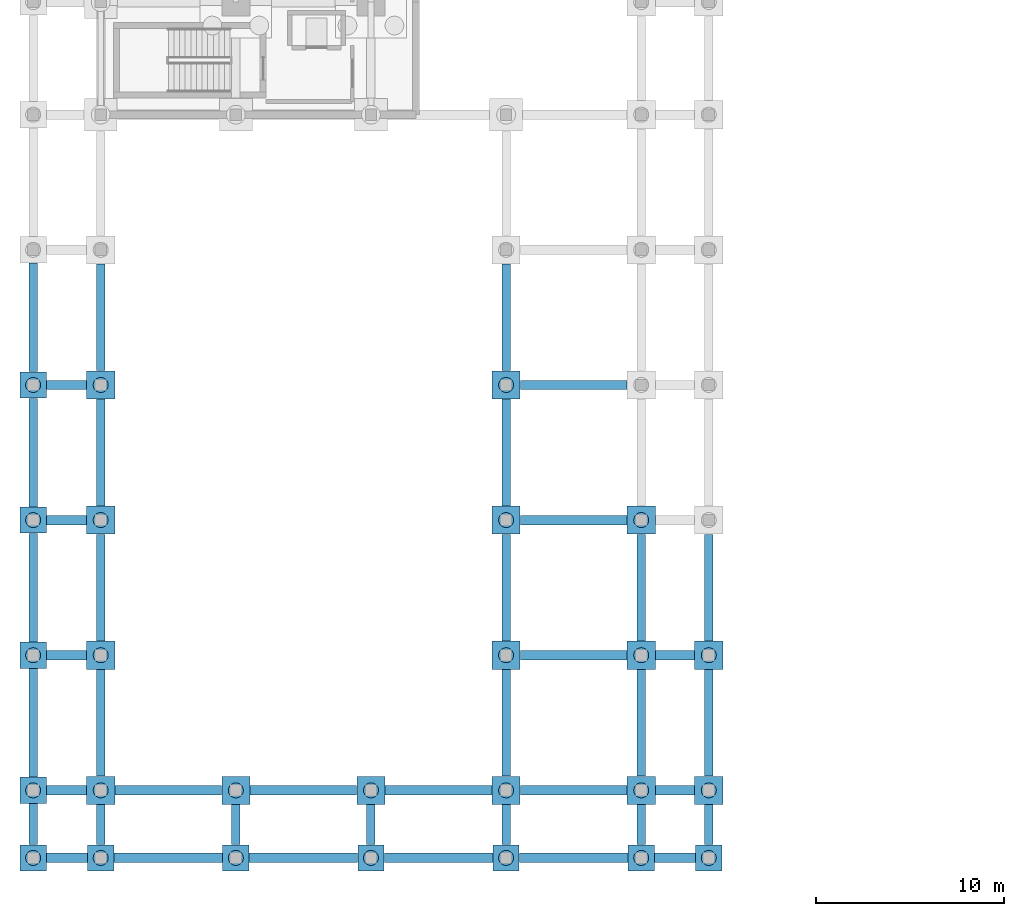
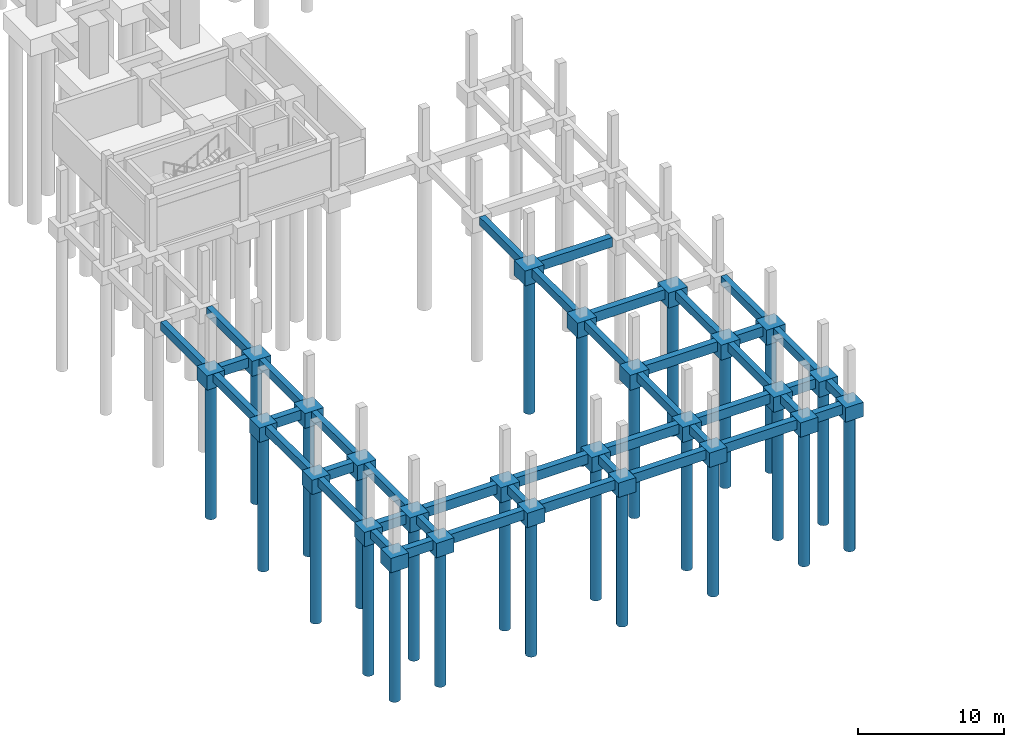
# One storey, part 1 of 20: 68 footings, 26 piles.
"""IFC4 building model written with IfcOpenShell, lengths in metres."""

from ifc_helpers import new_model, si_unit, direction, frame, origin, origin_2d, place, context, subcontext, project, spatial, polyline, rectangle, circle, outline, extrude, material, material_profile, profile_set, type_object, element, save


model = new_model("IFC4")

# Units and contexts
model_context = context("Model", 3, precision=1e-05, world=origin(), true_north=direction((0.0, 1.0)))
body_context = subcontext(model_context, "Body", "Model", "MODEL_VIEW")
ifc_project = project(units=[si_unit("LENGTHUNIT", "METRE"), si_unit("AREAUNIT", "SQUARE_METRE"), si_unit("VOLUMEUNIT", "CUBIC_METRE"), si_unit("PLANEANGLEUNIT", "RADIAN"), si_unit("MASSUNIT", "GRAM", prefix="KILO")], contexts=[model_context])

# Site, building, storey
site_placement = place(None, origin())
site = spatial("IfcSite", under=ifc_project, at=site_placement, CompositionType="ELEMENT")
building_placement = place(site_placement, origin())
building = spatial("IfcBuilding", under=site, at=building_placement, Name="Nzembalo Square Collegiate School", CompositionType="ELEMENT")
storey_placement = place(building_placement, frame((0.0, 0.0, -4.080078125)))
storey = spatial("IfcBuildingStorey", under=building, at=storey_placement, Name="B1", CompositionType="ELEMENT", Elevation=-4.080078125)

# Footings
ifc_material_1 = material(Name="Concrete C35/45", Category="concrete")
footing_type_1 = type_object("IfcFootingType", Name="PC06", PredefinedType="PILE_CAP", material=ifc_material_1)
for number, where, z_axis, x_axis, name in (
    (1, (8.39990234375, 8.39990234375, -1.5498046875), (0.0, 0.0, 1.0), (1.0, 0.0, 0.0), "Pile cap PC06 at 2/B"),
    (2, (8.39990234375, 15.60009765625, -1.5498046875), (0.0, 0.0, 1.0), (1.0, 0.0, 0.0), "Pile cap PC06 at 2/C"),
    (3, (8.39990234375, 22.800048828125, -1.5498046875), (0.0, 0.0, 1.0), (1.0, 0.0, 0.0), "Pile cap PC06 at 2/D"),
    (4, (8.39990234375, 30.0, -1.5498046875), (0.0, 0.0, 1.0), (1.0, 0.0, 0.0), "Pile cap PC06 at 2/E"),
    (5, (15.60009765625, 8.39990234375, -1.5498046875), (0.0, 0.0, 1.0), (1.0, 0.0, 0.0), "Pile cap PC06 at 3/B"),
    (6, (22.800048828125, 8.39990234375, -1.5498046875), (0.0, 0.0, 1.0), (1.0, 0.0, 0.0), "Pile cap PC06 at 4/B"),
    (7, (30.0, 8.39990234375, -1.5498046875), (0.0, 0.0, 1.0), (1.0, 0.0, 0.0), "Pile cap PC06 at 5/B"),
    (8, (30.0, 15.60009765625, -1.5498046875), (0.0, 0.0, 1.0), (1.0, 0.0, 0.0), "Pile cap PC06 at 5/C"),
    (9, (30.0, 22.800048828125, -1.5498046875), (0.0, 0.0, 1.0), (1.0, 0.0, 0.0), "Pile cap PC06 at 5/D"),
    (10, (30.0, 30.0, -1.5498046875), (0.0, 0.0, 1.0), (1.0, 0.0, 0.0), "Pile cap PC06 at 5/E"),
    (11, (37.199951171875, 8.39990234375, -1.5498046875), (0.0, 0.0, 1.0), (1.0, 0.0, 0.0), "Pile cap PC06 at 6/B"),
    (12, (37.199951171875, 15.60009765625, -1.5498046875), (0.0, 0.0, 1.0), (1.0, 0.0, 0.0), "Pile cap PC06 at 6/C"),
    (13, (37.199951171875, 22.800048828125, -1.5498046875), (0.0, 0.0, 1.0), (1.0, 0.0, 0.0), "Pile cap PC06 at 6/D"),
    (14, (40.800048828125, 8.39990234375, -1.5498046875), (0.0, 0.0, 1.0), (1.0, 0.0, 0.0), "Pile cap PC06 at 7/B"),
    (15, (40.800048828125, 15.60009765625, -1.5498046875), (0.0, 0.0, 1.0), (1.0, 0.0, 0.0), "Pile cap PC06 at 7/C"),
):
    element("IfcFooting", number, at=place(storey_placement, frame(where, z_axis=z_axis, x_axis=x_axis)), inside=storey, type_object=footing_type_1, Name=name, PredefinedType="PILE_CAP", context=body_context, shape_type="SweptSolid", body=[
        extrude(rectangle(XDim=1.5, YDim=1.5, at=origin_2d()), origin(), (0.0, 0.0, 1.0), 1.25),
    ])
ifc_material_2 = material(Name="Concrete C35/45", Category="concrete")
footing_type_2 = type_object("IfcFootingType", Name="PC07", PredefinedType="PILE_CAP", material=ifc_material_2)
for number, where, z_axis, x_axis, name in (
    (16, (4.800048828125, 4.800048828125, -1.5), (0.0, 0.0, 1.0), (1.0, 0.0, 0.0), "Pile cap PC07 at 1/A"),
    (17, (4.800048828125, 8.39990234375, -1.5), (0.0, 0.0, 1.0), (1.0, 0.0, 0.0), "Pile cap PC07 at 1/B"),
    (18, (4.800048828125, 15.60009765625, -1.5), (0.0, 0.0, 1.0), (1.0, 0.0, 0.0), "Pile cap PC07 at 1/C"),
    (19, (4.800048828125, 22.800048828125, -1.5), (0.0, 0.0, 1.0), (1.0, 0.0, 0.0), "Pile cap PC07 at 1/D"),
    (20, (4.800048828125, 30.0, -1.5), (0.0, 0.0, 1.0), (1.0, 0.0, 0.0), "Pile cap PC07 at 1/E"),
    (21, (8.39990234375, 4.800048828125, -1.5), (0.0, 0.0, 1.0), (1.0, 0.0, 0.0), "Pile cap PC07 at 2/A"),
    (22, (15.60009765625, 4.800048828125, -1.5), (0.0, 0.0, 1.0), (1.0, 0.0, 0.0), "Pile cap PC07 at 3/A"),
    (23, (22.800048828125, 4.800048828125, -1.5), (0.0, 0.0, 1.0), (1.0, 0.0, 0.0), "Pile cap PC07 at 4/A"),
    (24, (30.0, 4.800048828125, -1.5), (0.0, 0.0, 1.0), (1.0, 0.0, 0.0), "Pile cap PC07 at 5/A"),
    (25, (37.199951171875, 4.800048828125, -1.5), (0.0, 0.0, 1.0), (1.0, 0.0, 0.0), "Pile cap PC07 at 6/A"),
    (26, (40.800048828125, 4.800048828125, -1.5), (0.0, 0.0, 1.0), (1.0, 0.0, 0.0), "Pile cap PC07 at 7/A"),
):
    element("IfcFooting", number, at=place(storey_placement, frame(where, z_axis=z_axis, x_axis=x_axis)), inside=storey, type_object=footing_type_2, Name=name, PredefinedType="PILE_CAP", context=body_context, shape_type="SweptSolid", body=[
        extrude(rectangle(XDim=1.39990234375, YDim=1.39990234375, at=origin_2d()), origin(), (0.0, 0.0, 1.0), 1.199951171875),
    ])
ifc_material_3 = material(Name="Concrete C30/37", Category="concrete")
footing_type_3 = type_object("IfcFootingType", Name="FG01", PredefinedType="FOOTING_BEAM", material=ifc_material_3)
footing_1_placement = place(storey_placement, frame((0.0, 0.0, -1.099853515625)))
element("IfcFooting", 27, at=footing_1_placement, inside=storey, type_object=footing_type_3, Name="Ground beam FG01 1-2/A", PredefinedType="FOOTING_BEAM", context=body_context, shape_type="SweptSolid", body=[
    extrude(outline(polyline([(5.510009765625, 4.550048828125), (7.68994140625, 4.550048828125), (7.68994140625, 5.050048828125), (5.510009765625, 5.050048828125), (5.510009765625, 4.550048828125)])), origin(), (0.0, 0.0, 1.0), 0.800048828125),
])
footing_2_placement = place(storey_placement, frame((0.0, 0.0, -1.099853515625)))
element("IfcFooting", 28, at=footing_2_placement, inside=storey, type_object=footing_type_3, Name="Ground beam FG01 2-3/A", PredefinedType="FOOTING_BEAM", context=body_context, shape_type="SweptSolid", body=[
    extrude(outline(polyline([(9.110107421875, 4.550048828125), (14.889892578125, 4.550048828125), (14.889892578125, 5.050048828125), (9.110107421875, 5.050048828125), (9.110107421875, 4.550048828125)])), origin(), (0.0, 0.0, 1.0), 0.800048828125),
])
footing_3_placement = place(storey_placement, frame((0.0, 0.0, -1.099853515625)))
element("IfcFooting", 29, at=footing_3_placement, inside=storey, type_object=footing_type_3, Name="Ground beam FG01 3-4/A", PredefinedType="FOOTING_BEAM", context=body_context, shape_type="SweptSolid", body=[
    extrude(outline(polyline([(16.31005859375, 4.550048828125), (22.090087890625, 4.550048828125), (22.090087890625, 5.050048828125), (16.31005859375, 5.050048828125), (16.31005859375, 4.550048828125)])), origin(), (0.0, 0.0, 1.0), 0.800048828125),
])
footing_4_placement = place(storey_placement, frame((0.0, 0.0, -1.099853515625)))
element("IfcFooting", 30, at=footing_4_placement, inside=storey, type_object=footing_type_3, Name="Ground beam FG01 4-5/A", PredefinedType="FOOTING_BEAM", context=body_context, shape_type="SweptSolid", body=[
    extrude(outline(polyline([(23.510009765625, 4.550048828125), (29.2900390625, 4.550048828125), (29.2900390625, 5.050048828125), (23.510009765625, 5.050048828125), (23.510009765625, 4.550048828125)])), origin(), (0.0, 0.0, 1.0), 0.800048828125),
])
footing_5_placement = place(storey_placement, frame((0.0, 0.0, -1.099853515625)))
element("IfcFooting", 31, at=footing_5_placement, inside=storey, type_object=footing_type_3, Name="Ground beam FG01 5-6/A", PredefinedType="FOOTING_BEAM", context=body_context, shape_type="SweptSolid", body=[
    extrude(outline(polyline([(30.7099609375, 4.550048828125), (36.489990234375, 4.550048828125), (36.489990234375, 5.050048828125), (30.7099609375, 5.050048828125), (30.7099609375, 4.550048828125)])), origin(), (0.0, 0.0, 1.0), 0.800048828125),
])
footing_6_placement = place(storey_placement, frame((0.0, 0.0, -1.099853515625)))
element("IfcFooting", 32, at=footing_6_placement, inside=storey, type_object=footing_type_3, Name="Ground beam FG01 6-7/A", PredefinedType="FOOTING_BEAM", context=body_context, shape_type="SweptSolid", body=[
    extrude(outline(polyline([(37.909912109375, 4.550048828125), (40.090087890625, 4.550048828125), (40.090087890625, 5.050048828125), (37.909912109375, 5.050048828125), (37.909912109375, 4.550048828125)])), origin(), (0.0, 0.0, 1.0), 0.800048828125),
])
footing_7_placement = place(storey_placement, frame((0.0, 0.0, -1.099853515625)))
element("IfcFooting", 33, at=footing_7_placement, inside=storey, type_object=footing_type_3, Name="Ground beam FG01 1-2/B", PredefinedType="FOOTING_BEAM", context=body_context, shape_type="SweptSolid", body=[
    extrude(outline(polyline([(5.510009765625, 8.14990234375), (7.639892578125, 8.14990234375), (7.639892578125, 8.64990234375), (5.510009765625, 8.64990234375), (5.510009765625, 8.14990234375)])), origin(), (0.0, 0.0, 1.0), 0.800048828125),
])
footing_8_placement = place(storey_placement, frame((0.0, 0.0, -1.099853515625)))
element("IfcFooting", 34, at=footing_8_placement, inside=storey, type_object=footing_type_3, Name="Ground beam FG01 2-3/B", PredefinedType="FOOTING_BEAM", context=body_context, shape_type="SweptSolid", body=[
    extrude(outline(polyline([(9.159912109375, 8.14990234375), (14.840087890625, 8.14990234375), (14.840087890625, 8.64990234375), (9.159912109375, 8.64990234375), (9.159912109375, 8.14990234375)])), origin(), (0.0, 0.0, 1.0), 0.800048828125),
])
footing_9_placement = place(storey_placement, frame((0.0, 0.0, -1.099853515625)))
element("IfcFooting", 35, at=footing_9_placement, inside=storey, type_object=footing_type_3, Name="Ground beam FG01 3-4/B", PredefinedType="FOOTING_BEAM", context=body_context, shape_type="SweptSolid", body=[
    extrude(outline(polyline([(16.360107421875, 8.14990234375), (22.0400390625, 8.14990234375), (22.0400390625, 8.64990234375), (16.360107421875, 8.64990234375), (16.360107421875, 8.14990234375)])), origin(), (0.0, 0.0, 1.0), 0.800048828125),
])
footing_10_placement = place(storey_placement, frame((0.0, 0.0, -1.099853515625)))
element("IfcFooting", 36, at=footing_10_placement, inside=storey, type_object=footing_type_3, Name="Ground beam FG01 4-5/B", PredefinedType="FOOTING_BEAM", context=body_context, shape_type="SweptSolid", body=[
    extrude(outline(polyline([(23.56005859375, 8.14990234375), (29.239990234375, 8.14990234375), (29.239990234375, 8.64990234375), (23.56005859375, 8.64990234375), (23.56005859375, 8.14990234375)])), origin(), (0.0, 0.0, 1.0), 0.800048828125),
])
footing_11_placement = place(storey_placement, frame((0.0, 0.0, -1.099853515625)))
element("IfcFooting", 37, at=footing_11_placement, inside=storey, type_object=footing_type_3, Name="Ground beam FG01 5-6/B", PredefinedType="FOOTING_BEAM", context=body_context, shape_type="SweptSolid", body=[
    extrude(outline(polyline([(30.760009765625, 8.14990234375), (36.43994140625, 8.14990234375), (36.43994140625, 8.64990234375), (30.760009765625, 8.64990234375), (30.760009765625, 8.14990234375)])), origin(), (0.0, 0.0, 1.0), 0.800048828125),
])
footing_12_placement = place(storey_placement, frame((0.0, 0.0, -1.099853515625)))
element("IfcFooting", 38, at=footing_12_placement, inside=storey, type_object=footing_type_3, Name="Ground beam FG01 6-7/B", PredefinedType="FOOTING_BEAM", context=body_context, shape_type="SweptSolid", body=[
    extrude(outline(polyline([(37.9599609375, 8.14990234375), (40.0400390625, 8.14990234375), (40.0400390625, 8.64990234375), (37.9599609375, 8.64990234375), (37.9599609375, 8.14990234375)])), origin(), (0.0, 0.0, 1.0), 0.800048828125),
])
footing_13_placement = place(storey_placement, frame((0.0, 0.0, -1.099853515625)))
element("IfcFooting", 39, at=footing_13_placement, inside=storey, type_object=footing_type_3, Name="Ground beam FG01 1-2/C", PredefinedType="FOOTING_BEAM", context=body_context, shape_type="SweptSolid", body=[
    extrude(outline(polyline([(5.510009765625, 15.35009765625), (7.639892578125, 15.35009765625), (7.639892578125, 15.85009765625), (5.510009765625, 15.85009765625), (5.510009765625, 15.35009765625)])), origin(), (0.0, 0.0, 1.0), 0.800048828125),
])
footing_14_placement = place(storey_placement, frame((0.0, 0.0, -1.099853515625)))
element("IfcFooting", 40, at=footing_14_placement, inside=storey, type_object=footing_type_3, Name="Ground beam FG01 5-6/C", PredefinedType="FOOTING_BEAM", context=body_context, shape_type="SweptSolid", body=[
    extrude(outline(polyline([(30.760009765625, 15.35009765625), (36.43994140625, 15.35009765625), (36.43994140625, 15.85009765625), (30.760009765625, 15.85009765625), (30.760009765625, 15.35009765625)])), origin(), (0.0, 0.0, 1.0), 0.800048828125),
])
footing_15_placement = place(storey_placement, frame((0.0, 0.0, -1.099853515625)))
element("IfcFooting", 41, at=footing_15_placement, inside=storey, type_object=footing_type_3, Name="Ground beam FG01 6-7/C", PredefinedType="FOOTING_BEAM", context=body_context, shape_type="SweptSolid", body=[
    extrude(outline(polyline([(37.9599609375, 15.35009765625), (40.0400390625, 15.35009765625), (40.0400390625, 15.85009765625), (37.9599609375, 15.85009765625), (37.9599609375, 15.35009765625)])), origin(), (0.0, 0.0, 1.0), 0.800048828125),
])
footing_16_placement = place(storey_placement, frame((0.0, 0.0, -1.099853515625)))
element("IfcFooting", 42, at=footing_16_placement, inside=storey, type_object=footing_type_3, Name="Ground beam FG01 1-2/D", PredefinedType="FOOTING_BEAM", context=body_context, shape_type="SweptSolid", body=[
    extrude(outline(polyline([(5.510009765625, 22.550048828125), (7.639892578125, 22.550048828125), (7.639892578125, 23.050048828125), (5.510009765625, 23.050048828125), (5.510009765625, 22.550048828125)])), origin(), (0.0, 0.0, 1.0), 0.800048828125),
])
footing_17_placement = place(storey_placement, frame((0.0, 0.0, -1.099853515625)))
element("IfcFooting", 43, at=footing_17_placement, inside=storey, type_object=footing_type_3, Name="Ground beam FG01 5-6/D", PredefinedType="FOOTING_BEAM", context=body_context, shape_type="SweptSolid", body=[
    extrude(outline(polyline([(30.760009765625, 22.550048828125), (36.43994140625, 22.550048828125), (36.43994140625, 23.050048828125), (30.760009765625, 23.050048828125), (30.760009765625, 22.550048828125)])), origin(), (0.0, 0.0, 1.0), 0.800048828125),
])
footing_18_placement = place(storey_placement, frame((0.0, 0.0, -1.099853515625)))
element("IfcFooting", 44, at=footing_18_placement, inside=storey, type_object=footing_type_3, Name="Ground beam FG01 1-2/E", PredefinedType="FOOTING_BEAM", context=body_context, shape_type="SweptSolid", body=[
    extrude(outline(polyline([(5.510009765625, 29.75), (7.639892578125, 29.75), (7.639892578125, 30.25), (5.510009765625, 30.25), (5.510009765625, 29.75)])), origin(), (0.0, 0.0, 1.0), 0.800048828125),
])
footing_19_placement = place(storey_placement, frame((0.0, 0.0, -1.099853515625)))
element("IfcFooting", 45, at=footing_19_placement, inside=storey, type_object=footing_type_3, Name="Ground beam FG01 5-6/E", PredefinedType="FOOTING_BEAM", context=body_context, shape_type="SweptSolid", body=[
    extrude(outline(polyline([(30.760009765625, 29.75), (36.43994140625, 29.75), (36.43994140625, 30.25), (30.760009765625, 30.25), (30.760009765625, 29.75)])), origin(), (0.0, 0.0, 1.0), 0.800048828125),
])
ifc_material_4 = material(Name="Concrete C30/37", Category="concrete")
footing_type_4 = type_object("IfcFootingType", Name="FG02", PredefinedType="FOOTING_BEAM", material=ifc_material_4)
footing_20_placement = place(storey_placement, frame((0.0, 0.0, -1.0)))
element("IfcFooting", 46, at=footing_20_placement, inside=storey, type_object=footing_type_4, Name="Ground beam FG02 1/A-B", PredefinedType="FOOTING_BEAM", context=body_context, shape_type="SweptSolid", body=[
    extrude(outline(polyline([(4.574951171875, 5.510009765625), (5.02490234375, 5.510009765625), (5.02490234375, 7.68994140625), (4.574951171875, 7.68994140625), (4.574951171875, 5.510009765625)])), origin(), (0.0, 0.0, 1.0), 0.7001953125),
])
footing_21_placement = place(storey_placement, frame((0.0, 0.0, -1.0)))
element("IfcFooting", 47, at=footing_21_placement, inside=storey, type_object=footing_type_4, Name="Ground beam FG02 1/B-C", PredefinedType="FOOTING_BEAM", context=body_context, shape_type="SweptSolid", body=[
    extrude(outline(polyline([(4.574951171875, 9.110107421875), (5.02490234375, 9.110107421875), (5.02490234375, 14.889892578125), (4.574951171875, 14.889892578125), (4.574951171875, 9.110107421875)])), origin(), (0.0, 0.0, 1.0), 0.7001953125),
])
footing_22_placement = place(storey_placement, frame((0.0, 0.0, -1.0)))
element("IfcFooting", 48, at=footing_22_placement, inside=storey, type_object=footing_type_4, Name="Ground beam FG02 1/C-D", PredefinedType="FOOTING_BEAM", context=body_context, shape_type="SweptSolid", body=[
    extrude(outline(polyline([(4.574951171875, 16.31005859375), (5.02490234375, 16.31005859375), (5.02490234375, 22.090087890625), (4.574951171875, 22.090087890625), (4.574951171875, 16.31005859375)])), origin(), (0.0, 0.0, 1.0), 0.7001953125),
])
footing_23_placement = place(storey_placement, frame((0.0, 0.0, -1.0)))
element("IfcFooting", 49, at=footing_23_placement, inside=storey, type_object=footing_type_4, Name="Ground beam FG02 1/D-E", PredefinedType="FOOTING_BEAM", context=body_context, shape_type="SweptSolid", body=[
    extrude(outline(polyline([(4.574951171875, 23.510009765625), (5.02490234375, 23.510009765625), (5.02490234375, 29.2900390625), (4.574951171875, 29.2900390625), (4.574951171875, 23.510009765625)])), origin(), (0.0, 0.0, 1.0), 0.7001953125),
])
footing_24_placement = place(storey_placement, frame((0.0, 0.0, -1.0)))
element("IfcFooting", 50, at=footing_24_placement, inside=storey, type_object=footing_type_4, Name="Ground beam FG02 1/E-F", PredefinedType="FOOTING_BEAM", context=body_context, shape_type="SweptSolid", body=[
    extrude(outline(polyline([(4.574951171875, 30.7099609375), (5.02490234375, 30.7099609375), (5.02490234375, 36.489990234375), (4.574951171875, 36.489990234375), (4.574951171875, 30.7099609375)])), origin(), (0.0, 0.0, 1.0), 0.7001953125),
])
footing_25_placement = place(storey_placement, frame((0.0, 0.0, -1.0)))
element("IfcFooting", 51, at=footing_25_placement, inside=storey, type_object=footing_type_4, Name="Ground beam FG02 2/A-B", PredefinedType="FOOTING_BEAM", context=body_context, shape_type="SweptSolid", body=[
    extrude(outline(polyline([(8.175048828125, 5.510009765625), (8.625, 5.510009765625), (8.625, 7.639892578125), (8.175048828125, 7.639892578125), (8.175048828125, 5.510009765625)])), origin(), (0.0, 0.0, 1.0), 0.7001953125),
])
footing_26_placement = place(storey_placement, frame((0.0, 0.0, -1.0)))
element("IfcFooting", 52, at=footing_26_placement, inside=storey, type_object=footing_type_4, Name="Ground beam FG02 2/B-C", PredefinedType="FOOTING_BEAM", context=body_context, shape_type="SweptSolid", body=[
    extrude(outline(polyline([(8.175048828125, 9.159912109375), (8.625, 9.159912109375), (8.625, 14.840087890625), (8.175048828125, 14.840087890625), (8.175048828125, 9.159912109375)])), origin(), (0.0, 0.0, 1.0), 0.7001953125),
])
footing_27_placement = place(storey_placement, frame((0.0, 0.0, -1.0)))
element("IfcFooting", 53, at=footing_27_placement, inside=storey, type_object=footing_type_4, Name="Ground beam FG02 2/C-D", PredefinedType="FOOTING_BEAM", context=body_context, shape_type="SweptSolid", body=[
    extrude(outline(polyline([(8.175048828125, 16.360107421875), (8.625, 16.360107421875), (8.625, 22.0400390625), (8.175048828125, 22.0400390625), (8.175048828125, 16.360107421875)])), origin(), (0.0, 0.0, 1.0), 0.7001953125),
])
footing_28_placement = place(storey_placement, frame((0.0, 0.0, -1.0)))
element("IfcFooting", 54, at=footing_28_placement, inside=storey, type_object=footing_type_4, Name="Ground beam FG02 2/D-E", PredefinedType="FOOTING_BEAM", context=body_context, shape_type="SweptSolid", body=[
    extrude(outline(polyline([(8.175048828125, 23.56005859375), (8.625, 23.56005859375), (8.625, 29.239990234375), (8.175048828125, 29.239990234375), (8.175048828125, 23.56005859375)])), origin(), (0.0, 0.0, 1.0), 0.7001953125),
])
footing_29_placement = place(storey_placement, frame((0.0, 0.0, -1.0)))
element("IfcFooting", 55, at=footing_29_placement, inside=storey, type_object=footing_type_4, Name="Ground beam FG02 2/E-F", PredefinedType="FOOTING_BEAM", context=body_context, shape_type="SweptSolid", body=[
    extrude(outline(polyline([(8.175048828125, 30.760009765625), (8.625, 30.760009765625), (8.625, 36.43994140625), (8.175048828125, 36.43994140625), (8.175048828125, 30.760009765625)])), origin(), (0.0, 0.0, 1.0), 0.7001953125),
])
footing_30_placement = place(storey_placement, frame((0.0, 0.0, -1.0)))
element("IfcFooting", 56, at=footing_30_placement, inside=storey, type_object=footing_type_4, Name="Ground beam FG02 3/A-B", PredefinedType="FOOTING_BEAM", context=body_context, shape_type="SweptSolid", body=[
    extrude(outline(polyline([(15.375, 5.510009765625), (15.824951171875, 5.510009765625), (15.824951171875, 7.639892578125), (15.375, 7.639892578125), (15.375, 5.510009765625)])), origin(), (0.0, 0.0, 1.0), 0.7001953125),
])
footing_31_placement = place(storey_placement, frame((0.0, 0.0, -1.0)))
element("IfcFooting", 57, at=footing_31_placement, inside=storey, type_object=footing_type_4, Name="Ground beam FG02 4/A-B", PredefinedType="FOOTING_BEAM", context=body_context, shape_type="SweptSolid", body=[
    extrude(outline(polyline([(22.574951171875, 5.510009765625), (23.02490234375, 5.510009765625), (23.02490234375, 7.639892578125), (22.574951171875, 7.639892578125), (22.574951171875, 5.510009765625)])), origin(), (0.0, 0.0, 1.0), 0.7001953125),
])
footing_32_placement = place(storey_placement, frame((0.0, 0.0, -1.0)))
element("IfcFooting", 58, at=footing_32_placement, inside=storey, type_object=footing_type_4, Name="Ground beam FG02 5/A-B", PredefinedType="FOOTING_BEAM", context=body_context, shape_type="SweptSolid", body=[
    extrude(outline(polyline([(29.77490234375, 5.510009765625), (30.22509765625, 5.510009765625), (30.22509765625, 7.639892578125), (29.77490234375, 7.639892578125), (29.77490234375, 5.510009765625)])), origin(), (0.0, 0.0, 1.0), 0.7001953125),
])
footing_33_placement = place(storey_placement, frame((0.0, 0.0, -1.0)))
element("IfcFooting", 59, at=footing_33_placement, inside=storey, type_object=footing_type_4, Name="Ground beam FG02 5/B-C", PredefinedType="FOOTING_BEAM", context=body_context, shape_type="SweptSolid", body=[
    extrude(outline(polyline([(29.77490234375, 9.159912109375), (30.22509765625, 9.159912109375), (30.22509765625, 14.840087890625), (29.77490234375, 14.840087890625), (29.77490234375, 9.159912109375)])), origin(), (0.0, 0.0, 1.0), 0.7001953125),
])
footing_34_placement = place(storey_placement, frame((0.0, 0.0, -1.0)))
element("IfcFooting", 60, at=footing_34_placement, inside=storey, type_object=footing_type_4, Name="Ground beam FG02 5/C-D", PredefinedType="FOOTING_BEAM", context=body_context, shape_type="SweptSolid", body=[
    extrude(outline(polyline([(29.77490234375, 16.360107421875), (30.22509765625, 16.360107421875), (30.22509765625, 22.0400390625), (29.77490234375, 22.0400390625), (29.77490234375, 16.360107421875)])), origin(), (0.0, 0.0, 1.0), 0.7001953125),
])
footing_35_placement = place(storey_placement, frame((0.0, 0.0, -1.0)))
element("IfcFooting", 61, at=footing_35_placement, inside=storey, type_object=footing_type_4, Name="Ground beam FG02 5/D-E", PredefinedType="FOOTING_BEAM", context=body_context, shape_type="SweptSolid", body=[
    extrude(outline(polyline([(29.77490234375, 23.56005859375), (30.22509765625, 23.56005859375), (30.22509765625, 29.239990234375), (29.77490234375, 29.239990234375), (29.77490234375, 23.56005859375)])), origin(), (0.0, 0.0, 1.0), 0.7001953125),
])
footing_36_placement = place(storey_placement, frame((0.0, 0.0, -1.0)))
element("IfcFooting", 62, at=footing_36_placement, inside=storey, type_object=footing_type_4, Name="Ground beam FG02 5/E-F", PredefinedType="FOOTING_BEAM", context=body_context, shape_type="SweptSolid", body=[
    extrude(outline(polyline([(29.77490234375, 30.760009765625), (30.22509765625, 30.760009765625), (30.22509765625, 36.43994140625), (29.77490234375, 36.43994140625), (29.77490234375, 30.760009765625)])), origin(), (0.0, 0.0, 1.0), 0.7001953125),
])
footing_37_placement = place(storey_placement, frame((0.0, 0.0, -1.0)))
element("IfcFooting", 63, at=footing_37_placement, inside=storey, type_object=footing_type_4, Name="Ground beam FG02 6/A-B", PredefinedType="FOOTING_BEAM", context=body_context, shape_type="SweptSolid", body=[
    extrude(outline(polyline([(36.97509765625, 5.510009765625), (37.425048828125, 5.510009765625), (37.425048828125, 7.639892578125), (36.97509765625, 7.639892578125), (36.97509765625, 5.510009765625)])), origin(), (0.0, 0.0, 1.0), 0.7001953125),
])
footing_38_placement = place(storey_placement, frame((0.0, 0.0, -1.0)))
element("IfcFooting", 64, at=footing_38_placement, inside=storey, type_object=footing_type_4, Name="Ground beam FG02 6/B-C", PredefinedType="FOOTING_BEAM", context=body_context, shape_type="SweptSolid", body=[
    extrude(outline(polyline([(36.97509765625, 9.159912109375), (37.425048828125, 9.159912109375), (37.425048828125, 14.840087890625), (36.97509765625, 14.840087890625), (36.97509765625, 9.159912109375)])), origin(), (0.0, 0.0, 1.0), 0.7001953125),
])
footing_39_placement = place(storey_placement, frame((0.0, 0.0, -1.0)))
element("IfcFooting", 65, at=footing_39_placement, inside=storey, type_object=footing_type_4, Name="Ground beam FG02 6/C-D", PredefinedType="FOOTING_BEAM", context=body_context, shape_type="SweptSolid", body=[
    extrude(outline(polyline([(36.97509765625, 16.360107421875), (37.425048828125, 16.360107421875), (37.425048828125, 22.0400390625), (36.97509765625, 22.0400390625), (36.97509765625, 16.360107421875)])), origin(), (0.0, 0.0, 1.0), 0.7001953125),
])
footing_40_placement = place(storey_placement, frame((0.0, 0.0, -1.0)))
element("IfcFooting", 66, at=footing_40_placement, inside=storey, type_object=footing_type_4, Name="Ground beam FG02 7/A-B", PredefinedType="FOOTING_BEAM", context=body_context, shape_type="SweptSolid", body=[
    extrude(outline(polyline([(40.574951171875, 5.510009765625), (41.02490234375, 5.510009765625), (41.02490234375, 7.639892578125), (40.574951171875, 7.639892578125), (40.574951171875, 5.510009765625)])), origin(), (0.0, 0.0, 1.0), 0.7001953125),
])
footing_41_placement = place(storey_placement, frame((0.0, 0.0, -1.0)))
element("IfcFooting", 67, at=footing_41_placement, inside=storey, type_object=footing_type_4, Name="Ground beam FG02 7/B-C", PredefinedType="FOOTING_BEAM", context=body_context, shape_type="SweptSolid", body=[
    extrude(outline(polyline([(40.574951171875, 9.159912109375), (41.02490234375, 9.159912109375), (41.02490234375, 14.840087890625), (40.574951171875, 14.840087890625), (40.574951171875, 9.159912109375)])), origin(), (0.0, 0.0, 1.0), 0.7001953125),
])
footing_42_placement = place(storey_placement, frame((0.0, 0.0, -1.0)))
element("IfcFooting", 68, at=footing_42_placement, inside=storey, type_object=footing_type_4, Name="Ground beam FG02 7/C-D", PredefinedType="FOOTING_BEAM", context=body_context, shape_type="SweptSolid", body=[
    extrude(outline(polyline([(40.574951171875, 16.360107421875), (41.02490234375, 16.360107421875), (41.02490234375, 22.0400390625), (40.574951171875, 22.0400390625), (40.574951171875, 16.360107421875)])), origin(), (0.0, 0.0, 1.0), 0.7001953125),
])

# Piles
ifc_material_5 = material(Name="Concrete C30/37", Category="concrete")
ifc_material_profile = material_profile(ifc_material_5, circle(Radius=0.39990234375, at=origin_2d()), Name="PILE D800")
ifc_profile_set = profile_set([ifc_material_profile], Name="Concrete C30/37")
pile_type = type_object("IfcPileType", Name="P02", PredefinedType="BORED", material=ifc_profile_set)
for number, where, z_axis, x_axis, name in (
    (69, (4.800048828125, 4.800048828125, -1.39990234375), (0.0, 0.0, -1.0), (1.0, 0.0, 0.0), "Bored pile P02-001"),
    (70, (4.800048828125, 8.39990234375, -1.39990234375), (0.0, 0.0, -1.0), (1.0, 0.0, 0.0), "Bored pile P02-002"),
    (71, (4.800048828125, 15.60009765625, -1.39990234375), (0.0, 0.0, -1.0), (1.0, 0.0, 0.0), "Bored pile P02-003"),
    (72, (4.800048828125, 22.800048828125, -1.39990234375), (0.0, 0.0, -1.0), (1.0, 0.0, 0.0), "Bored pile P02-004"),
    (73, (4.800048828125, 30.0, -1.39990234375), (0.0, 0.0, -1.0), (1.0, 0.0, 0.0), "Bored pile P02-005"),
    (74, (8.39990234375, 4.800048828125, -1.39990234375), (0.0, 0.0, -1.0), (1.0, 0.0, 0.0), "Bored pile P02-067"),
):
    element("IfcPile", number, at=place(storey_placement, frame(where, z_axis=z_axis, x_axis=x_axis)), inside=storey, type_object=pile_type, Name=name, PredefinedType="BORED", context=body_context, shape_type="SweptSolid", body=[
        extrude(circle(Radius=0.39990234375, at=origin_2d()), origin(), (0.0, 0.0, 1.0), 11.320068359375),
    ])
for number, where, z_axis, x_axis, name in (
    (75, (8.39990234375, 8.39990234375, -1.449951171875), (0.0, 0.0, -1.0), (1.0, 0.0, 0.0), "Bored pile P02-068"),
    (76, (8.39990234375, 15.60009765625, -1.449951171875), (0.0, 0.0, -1.0), (1.0, 0.0, 0.0), "Bored pile P02-069"),
    (77, (8.39990234375, 22.800048828125, -1.449951171875), (0.0, 0.0, -1.0), (1.0, 0.0, 0.0), "Bored pile P02-070"),
    (78, (8.39990234375, 30.0, -1.449951171875), (0.0, 0.0, -1.0), (1.0, 0.0, 0.0), "Bored pile P02-071"),
):
    element("IfcPile", number, at=place(storey_placement, frame(where, z_axis=z_axis, x_axis=x_axis)), inside=storey, type_object=pile_type, Name=name, PredefinedType="BORED", context=body_context, shape_type="SweptSolid", body=[
        extrude(circle(Radius=0.39990234375, at=origin_2d()), origin(), (0.0, 0.0, 1.0), 11.27001953125),
    ])
pile_1_placement = place(storey_placement, frame((15.60009765625, 4.800048828125, -1.39990234375), z_axis=(0.0, 0.0, -1.0), x_axis=(1.0, 0.0, 0.0)))
element("IfcPile", 79, at=pile_1_placement, inside=storey, type_object=pile_type, Name="Bored pile P02-231", PredefinedType="BORED", context=body_context, shape_type="SweptSolid", body=[
    extrude(circle(Radius=0.39990234375, at=origin_2d()), origin(), (0.0, 0.0, 1.0), 11.320068359375),
])
pile_2_placement = place(storey_placement, frame((15.60009765625, 8.39990234375, -1.449951171875), z_axis=(0.0, 0.0, -1.0), x_axis=(1.0, 0.0, 0.0)))
element("IfcPile", 80, at=pile_2_placement, inside=storey, type_object=pile_type, Name="Bored pile P02-232", PredefinedType="BORED", context=body_context, shape_type="SweptSolid", body=[
    extrude(circle(Radius=0.39990234375, at=origin_2d()), origin(), (0.0, 0.0, 1.0), 11.27001953125),
])
pile_3_placement = place(storey_placement, frame((22.800048828125, 4.800048828125, -1.39990234375), z_axis=(0.0, 0.0, -1.0), x_axis=(1.0, 0.0, 0.0)))
element("IfcPile", 81, at=pile_3_placement, inside=storey, type_object=pile_type, Name="Bored pile P02-256", PredefinedType="BORED", context=body_context, shape_type="SweptSolid", body=[
    extrude(circle(Radius=0.39990234375, at=origin_2d()), origin(), (0.0, 0.0, 1.0), 11.320068359375),
])
pile_4_placement = place(storey_placement, frame((22.800048828125, 8.39990234375, -1.449951171875), z_axis=(0.0, 0.0, -1.0), x_axis=(1.0, 0.0, 0.0)))
element("IfcPile", 82, at=pile_4_placement, inside=storey, type_object=pile_type, Name="Bored pile P02-257", PredefinedType="BORED", context=body_context, shape_type="SweptSolid", body=[
    extrude(circle(Radius=0.39990234375, at=origin_2d()), origin(), (0.0, 0.0, 1.0), 11.27001953125),
])
pile_5_placement = place(storey_placement, frame((30.0, 4.800048828125, -1.39990234375), z_axis=(0.0, 0.0, -1.0), x_axis=(1.0, 0.0, 0.0)))
element("IfcPile", 83, at=pile_5_placement, inside=storey, type_object=pile_type, Name="Bored pile P02-281", PredefinedType="BORED", context=body_context, shape_type="SweptSolid", body=[
    extrude(circle(Radius=0.39990234375, at=origin_2d()), origin(), (0.0, 0.0, 1.0), 11.320068359375),
])
for number, where, z_axis, x_axis, name in (
    (84, (30.0, 8.39990234375, -1.449951171875), (0.0, 0.0, -1.0), (1.0, 0.0, 0.0), "Bored pile P02-282"),
    (85, (30.0, 15.60009765625, -1.449951171875), (0.0, 0.0, -1.0), (1.0, 0.0, 0.0), "Bored pile P02-283"),
    (86, (30.0, 22.800048828125, -1.449951171875), (0.0, 0.0, -1.0), (1.0, 0.0, 0.0), "Bored pile P02-284"),
    (87, (30.0, 30.0, -1.449951171875), (0.0, 0.0, -1.0), (1.0, 0.0, 0.0), "Bored pile P02-285"),
):
    element("IfcPile", number, at=place(storey_placement, frame(where, z_axis=z_axis, x_axis=x_axis)), inside=storey, type_object=pile_type, Name=name, PredefinedType="BORED", context=body_context, shape_type="SweptSolid", body=[
        extrude(circle(Radius=0.39990234375, at=origin_2d()), origin(), (0.0, 0.0, 1.0), 11.27001953125),
    ])
pile_6_placement = place(storey_placement, frame((37.199951171875, 4.800048828125, -1.39990234375), z_axis=(0.0, 0.0, -1.0), x_axis=(1.0, 0.0, 0.0)))
element("IfcPile", 88, at=pile_6_placement, inside=storey, type_object=pile_type, Name="Bored pile P02-294", PredefinedType="BORED", context=body_context, shape_type="SweptSolid", body=[
    extrude(circle(Radius=0.39990234375, at=origin_2d()), origin(), (0.0, 0.0, 1.0), 11.320068359375),
])
for number, where, z_axis, x_axis, name in (
    (89, (37.199951171875, 8.39990234375, -1.449951171875), (0.0, 0.0, -1.0), (1.0, 0.0, 0.0), "Bored pile P02-295"),
    (90, (37.199951171875, 15.60009765625, -1.449951171875), (0.0, 0.0, -1.0), (1.0, 0.0, 0.0), "Bored pile P02-296"),
    (91, (37.199951171875, 22.800048828125, -1.449951171875), (0.0, 0.0, -1.0), (1.0, 0.0, 0.0), "Bored pile P02-297"),
):
    element("IfcPile", number, at=place(storey_placement, frame(where, z_axis=z_axis, x_axis=x_axis)), inside=storey, type_object=pile_type, Name=name, PredefinedType="BORED", context=body_context, shape_type="SweptSolid", body=[
        extrude(circle(Radius=0.39990234375, at=origin_2d()), origin(), (0.0, 0.0, 1.0), 11.27001953125),
    ])
pile_7_placement = place(storey_placement, frame((40.800048828125, 4.800048828125, -1.39990234375), z_axis=(0.0, 0.0, -1.0), x_axis=(1.0, 0.0, 0.0)))
element("IfcPile", 92, at=pile_7_placement, inside=storey, type_object=pile_type, Name="Bored pile P02-308", PredefinedType="BORED", context=body_context, shape_type="SweptSolid", body=[
    extrude(circle(Radius=0.39990234375, at=origin_2d()), origin(), (0.0, 0.0, 1.0), 11.320068359375),
])
for number, where, z_axis, x_axis, name in (
    (93, (40.800048828125, 8.39990234375, -1.449951171875), (0.0, 0.0, -1.0), (1.0, 0.0, 0.0), "Bored pile P02-309"),
    (94, (40.800048828125, 15.60009765625, -1.449951171875), (0.0, 0.0, -1.0), (1.0, 0.0, 0.0), "Bored pile P02-310"),
):
    element("IfcPile", number, at=place(storey_placement, frame(where, z_axis=z_axis, x_axis=x_axis)), inside=storey, type_object=pile_type, Name=name, PredefinedType="BORED", context=body_context, shape_type="SweptSolid", body=[
        extrude(circle(Radius=0.39990234375, at=origin_2d()), origin(), (0.0, 0.0, 1.0), 11.27001953125),
    ])

save(model, "model.ifc")
